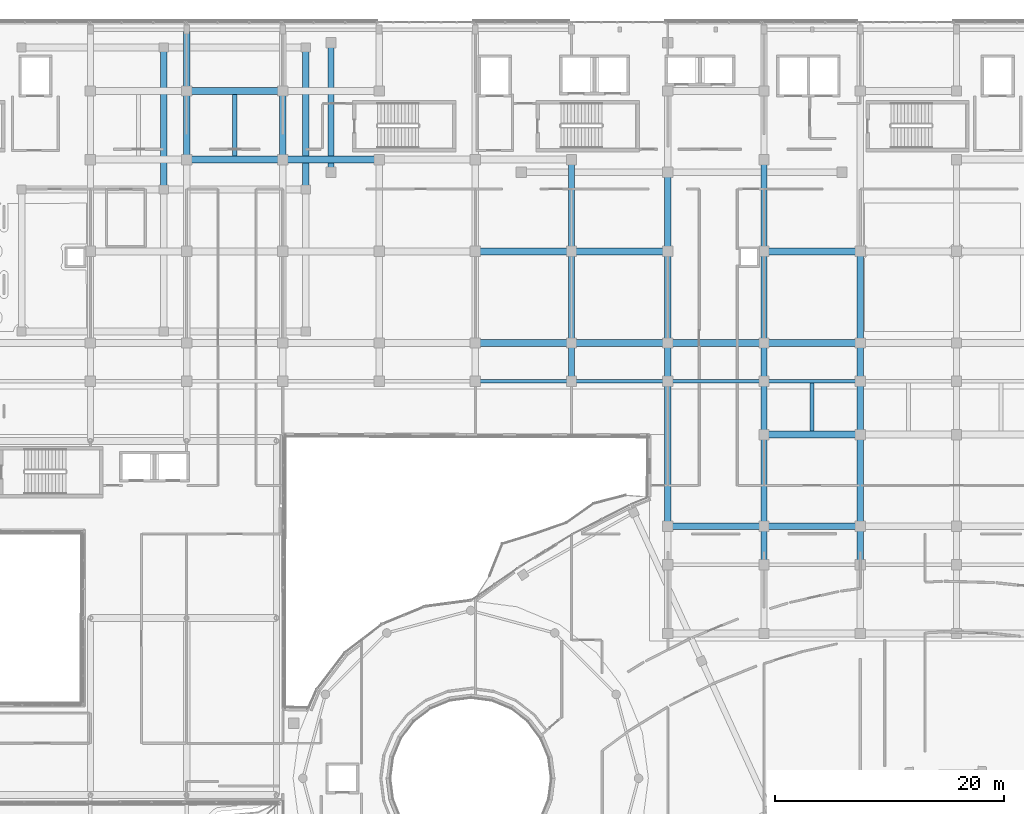
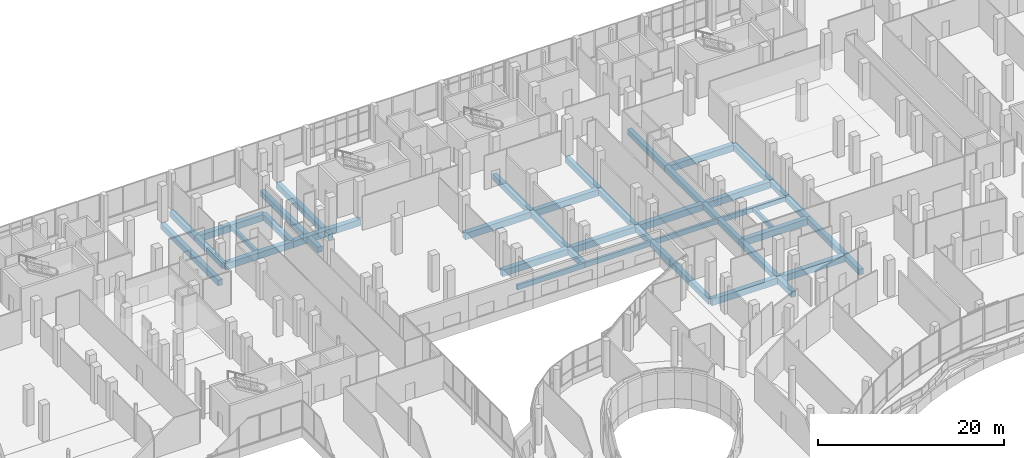
# One storey, part 91 of 168: 43 beams.
"""IFC4 building model written with IfcOpenShell, lengths in metres."""

from ifc_helpers import new_model, si_unit, direction, frame, origin, origin_2d, place, context, subcontext, project, spatial, rectangle, extrude, material, material_profile, profile_set, type_object, element, save


model = new_model("IFC4")

# Units and contexts
model_context = context("Model", 3, precision=1e-05, world=origin(), true_north=direction((0.0, 1.0)))
body_context = subcontext(model_context, "Body", "Model", "MODEL_VIEW")
ifc_project = project(units=[si_unit("LENGTHUNIT", "METRE"), si_unit("AREAUNIT", "SQUARE_METRE"), si_unit("VOLUMEUNIT", "CUBIC_METRE"), si_unit("PLANEANGLEUNIT", "RADIAN"), si_unit("MASSUNIT", "GRAM", prefix="KILO")], contexts=[model_context])

# Site, building, storey
site_placement = place(None, origin())
site = spatial("IfcSite", under=ifc_project, at=site_placement, CompositionType="ELEMENT")
building_placement = place(site_placement, origin())
building = spatial("IfcBuilding", under=site, at=building_placement, Name="Selatvlak General Hospital", CompositionType="ELEMENT")
storey_placement = place(building_placement, frame((0.0, 0.0, 5.39990234375)))
storey = spatial("IfcBuildingStorey", under=building, at=storey_placement, Name="L01", CompositionType="ELEMENT", Elevation=5.39990234375)

# Beams
ifc_material = material(Name="Concrete C40/50", Category="concrete")
ifc_material_profile_1 = material_profile(ifc_material, rectangle(XDim=0.60009765625, YDim=0.85009765625, at=origin_2d()), Name="RC-BM 600x850")
ifc_profile_set_1 = profile_set([ifc_material_profile_1], Name="Concrete C40/50")
beam_type_1 = type_object("IfcBeamType", Name="BM-G01", PredefinedType="BEAM", material=ifc_profile_set_1)
beam_1_placement = place(storey_placement, frame((115.199951171875, 76.0, -0.744873046875), z_axis=(1.0, 0.0, 0.0), x_axis=(0.0, 1.0, 0.0)))
element("IfcBeam", 1, at=beam_1_placement, inside=storey, type_object=beam_type_1, Name="Beam BMR-L01-0414", PredefinedType="BEAM", context=body_context, shape_type="SweptSolid", body=[
    extrude(rectangle(XDim=0.60009765625, YDim=0.85009765625, at=origin_2d()), origin(), (0.0, 0.0, 1.0), 8.400146484375),
])
for number, where, z_axis, x_axis, name in (
    (2, (123.60009765625, 76.0, -0.744873046875), (1.0, 0.0, 0.0), (0.0, 1.0, 0.0), "Beam BMR-L01-0415"),
    (3, (123.60009765625, 84.0, -0.744873046875), (1.0, 0.0, 0.0), (0.0, 1.0, 0.0), "Beam BMR-L01-0429"),
):
    element("IfcBeam", number, at=place(storey_placement, frame(where, z_axis=z_axis, x_axis=x_axis)), inside=storey, type_object=beam_type_1, Name=name, PredefinedType="BEAM", context=body_context, shape_type="SweptSolid", body=[
        extrude(rectangle(XDim=0.60009765625, YDim=0.85009765625, at=origin_2d()), origin(), (0.0, 0.0, 1.0), 8.39990234375),
    ])
beam_2_placement = place(storey_placement, frame((98.39990234375, 92.0, -0.744873046875), z_axis=(1.0, 0.0, 0.0), x_axis=(0.0, 1.0, 0.0)))
element("IfcBeam", 4, at=beam_2_placement, inside=storey, type_object=beam_type_1, Name="Beam BMR-L01-0461", PredefinedType="BEAM", context=body_context, shape_type="SweptSolid", body=[
    extrude(rectangle(XDim=0.60009765625, YDim=0.85009765625, at=origin_2d()), origin(), (0.0, 0.0, 1.0), 8.400146484375),
])
beam_3_placement = place(storey_placement, frame((106.800048828125, 92.0, -0.744873046875), z_axis=(1.0, 0.0, 0.0), x_axis=(0.0, 1.0, 0.0)))
element("IfcBeam", 5, at=beam_3_placement, inside=storey, type_object=beam_type_1, Name="Beam BMR-L01-0462", PredefinedType="BEAM", context=body_context, shape_type="SweptSolid", body=[
    extrude(rectangle(XDim=0.60009765625, YDim=0.85009765625, at=origin_2d()), origin(), (0.0, 0.0, 1.0), 8.39990234375),
])
beam_4_placement = place(storey_placement, frame((115.199951171875, 92.0, -0.744873046875), z_axis=(1.0, 0.0, 0.0), x_axis=(0.0, 1.0, 0.0)))
element("IfcBeam", 6, at=beam_4_placement, inside=storey, type_object=beam_type_1, Name="Beam BMR-L01-0463", PredefinedType="BEAM", context=body_context, shape_type="SweptSolid", body=[
    extrude(rectangle(XDim=0.60009765625, YDim=0.85009765625, at=origin_2d()), origin(), (0.0, 0.0, 1.0), 8.400146484375),
])
beam_5_placement = place(storey_placement, frame((123.60009765625, 92.0, -0.744873046875), z_axis=(1.0, 0.0, 0.0), x_axis=(0.0, 1.0, 0.0)))
element("IfcBeam", 7, at=beam_5_placement, inside=storey, type_object=beam_type_1, Name="Beam BMR-L01-0464", PredefinedType="BEAM", context=body_context, shape_type="SweptSolid", body=[
    extrude(rectangle(XDim=0.60009765625, YDim=0.85009765625, at=origin_2d()), origin(), (0.0, 0.0, 1.0), 8.39990234375),
])
beam_6_placement = place(storey_placement, frame((98.39990234375, 100.0, -0.744873046875), z_axis=(1.0, 0.0, 0.0), x_axis=(0.0, 1.0, 0.0)))
element("IfcBeam", 8, at=beam_6_placement, inside=storey, type_object=beam_type_1, Name="Beam BMR-L01-0483", PredefinedType="BEAM", context=body_context, shape_type="SweptSolid", body=[
    extrude(rectangle(XDim=0.60009765625, YDim=0.85009765625, at=origin_2d()), origin(), (0.0, 0.0, 1.0), 8.400146484375),
])
for number, where, z_axis, x_axis, name in (
    (9, (106.800048828125, 100.0, -0.744873046875), (1.0, 0.0, 0.0), (0.0, 1.0, 0.0), "Beam BMR-L01-0484"),
    (10, (123.60009765625, 100.0, -0.744873046875), (1.0, 0.0, 0.0), (0.0, 1.0, 0.0), "Beam BMR-L01-0485"),
):
    element("IfcBeam", number, at=place(storey_placement, frame(where, z_axis=z_axis, x_axis=x_axis)), inside=storey, type_object=beam_type_1, Name=name, PredefinedType="BEAM", context=body_context, shape_type="SweptSolid", body=[
        extrude(rectangle(XDim=0.60009765625, YDim=0.85009765625, at=origin_2d()), origin(), (0.0, 0.0, 1.0), 8.39990234375),
    ])
beam_7_placement = place(storey_placement, frame((73.199951171875, 108.0, -0.744873046875), z_axis=(1.0, 0.0, 0.0), x_axis=(0.0, 1.0, 0.0)))
element("IfcBeam", 11, at=beam_7_placement, inside=storey, type_object=beam_type_1, Name="Beam BMR-L01-0502", PredefinedType="BEAM", context=body_context, shape_type="SweptSolid", body=[
    extrude(rectangle(XDim=0.60009765625, YDim=0.85009765625, at=origin_2d()), origin(), (0.0, 0.0, 1.0), 8.400146484375),
])
beam_8_placement = place(storey_placement, frame((81.60009765625, 108.0, -0.744873046875), z_axis=(1.0, 0.0, 0.0), x_axis=(0.0, 1.0, 0.0)))
element("IfcBeam", 12, at=beam_8_placement, inside=storey, type_object=beam_type_1, Name="Beam BMR-L01-0503", PredefinedType="BEAM", context=body_context, shape_type="SweptSolid", body=[
    extrude(rectangle(XDim=0.60009765625, YDim=0.85009765625, at=origin_2d()), origin(), (0.0, 0.0, 1.0), 8.39990234375),
])
beam_9_placement = place(storey_placement, frame((73.199951171875, 114.0, -0.744873046875), z_axis=(1.0, 0.0, 0.0), x_axis=(0.0, 1.0, 0.0)))
element("IfcBeam", 13, at=beam_9_placement, inside=storey, type_object=beam_type_1, Name="Beam BMR-L01-0516", PredefinedType="BEAM", context=body_context, shape_type="SweptSolid", body=[
    extrude(rectangle(XDim=0.60009765625, YDim=0.85009765625, at=origin_2d()), origin(), (0.0, 0.0, 1.0), 8.400146484375),
])
ifc_material_profile_2 = material_profile(ifc_material, rectangle(XDim=0.550048828125, YDim=0.75, at=origin_2d()), Name="RC-BM 550x750")
ifc_profile_set_2 = profile_set([ifc_material_profile_2], Name="Concrete C40/50")
beam_type_2 = type_object("IfcBeamType", Name="BM-G02", PredefinedType="BEAM", material=ifc_profile_set_2)
beam_10_placement = place(storey_placement, frame((71.199951171875, 105.39990234375, -0.69482421875), z_axis=(0.0, 1.0, 0.0), x_axis=(-1.0, 0.0, 0.0)))
element("IfcBeam", 14, at=beam_10_placement, inside=storey, type_object=beam_type_2, Name="Beam BMR-L01-0587", PredefinedType="BEAM", context=body_context, shape_type="SweptSolid", body=[
    extrude(rectangle(XDim=0.550048828125, YDim=0.75, at=origin_2d()), origin(), (0.0, 0.0, 1.0), 12.400146484375),
])
beam_11_placement = place(storey_placement, frame((73.199951171875, 108.0, -0.69482421875), z_axis=(0.0, 1.0, 0.0), x_axis=(-1.0, 0.0, 0.0)))
element("IfcBeam", 15, at=beam_11_placement, inside=storey, type_object=beam_type_2, Name="Beam BMR-L01-0593", PredefinedType="BEAM", context=body_context, shape_type="SweptSolid", body=[
    extrude(rectangle(XDim=0.550048828125, YDim=0.75, at=origin_2d()), origin(), (0.0, 0.0, 1.0), 6.0),
])
beam_12_placement = place(storey_placement, frame((73.199951171875, 114.0, -0.69482421875), z_axis=(0.0, 1.0, 0.0), x_axis=(-1.0, 0.0, 0.0)))
element("IfcBeam", 16, at=beam_12_placement, inside=storey, type_object=beam_type_2, Name="Beam BMR-L01-0594", PredefinedType="BEAM", context=body_context, shape_type="SweptSolid", body=[
    extrude(rectangle(XDim=0.550048828125, YDim=0.75, at=origin_2d()), origin(), (0.0, 0.0, 1.0), 5.35009765625),
])
beam_13_placement = place(storey_placement, frame((81.60009765625, 108.0, -0.69482421875), z_axis=(0.0, 1.0, 0.0), x_axis=(-1.0, 0.0, 0.0)))
element("IfcBeam", 17, at=beam_13_placement, inside=storey, type_object=beam_type_2, Name="Beam BMR-L01-0600", PredefinedType="BEAM", context=body_context, shape_type="SweptSolid", body=[
    extrude(rectangle(XDim=0.550048828125, YDim=0.75, at=origin_2d()), origin(), (0.0, 0.0, 1.0), 6.0),
])
beam_14_placement = place(storey_placement, frame((83.60009765625, 105.39990234375, -0.69482421875), z_axis=(0.0, 1.0, 0.0), x_axis=(-1.0, 0.0, 0.0)))
element("IfcBeam", 18, at=beam_14_placement, inside=storey, type_object=beam_type_2, Name="Beam BMR-L01-0603", PredefinedType="BEAM", context=body_context, shape_type="SweptSolid", body=[
    extrude(rectangle(XDim=0.550048828125, YDim=0.75, at=origin_2d()), origin(), (0.0, 0.0, 1.0), 12.400146484375),
])
beam_15_placement = place(storey_placement, frame((85.800048828125, 106.89990234375, -0.69482421875), z_axis=(0.0, 1.0, 0.0), x_axis=(-1.0, 0.0, 0.0)))
element("IfcBeam", 19, at=beam_15_placement, inside=storey, type_object=beam_type_2, Name="Beam BMR-L01-0604", PredefinedType="BEAM", context=body_context, shape_type="SweptSolid", body=[
    extrude(rectangle(XDim=0.550048828125, YDim=0.75, at=origin_2d()), origin(), (0.0, 0.0, 1.0), 11.300048828125),
])
beam_16_placement = place(storey_placement, frame((106.800048828125, 88.64990234375, -0.69482421875), z_axis=(0.0, 1.0, 0.0), x_axis=(-1.0, 0.0, 0.0)))
element("IfcBeam", 20, at=beam_16_placement, inside=storey, type_object=beam_type_2, Name="Beam BMR-L01-0613", PredefinedType="BEAM", context=body_context, shape_type="SweptSolid", body=[
    extrude(rectangle(XDim=0.550048828125, YDim=0.75, at=origin_2d()), origin(), (0.0, 0.0, 1.0), 3.35009765625),
])
for number, where, z_axis, x_axis, name in (
    (21, (106.800048828125, 92.0, -0.69482421875), (0.0, 1.0, 0.0), (-1.0, 0.0, 0.0), "Beam BMR-L01-0614"),
    (22, (106.800048828125, 100.0, -0.69482421875), (0.0, 1.0, 0.0), (-1.0, 0.0, 0.0), "Beam BMR-L01-0615"),
):
    element("IfcBeam", number, at=place(storey_placement, frame(where, z_axis=z_axis, x_axis=x_axis)), inside=storey, type_object=beam_type_2, Name=name, PredefinedType="BEAM", context=body_context, shape_type="SweptSolid", body=[
        extrude(rectangle(XDim=0.550048828125, YDim=0.75, at=origin_2d()), origin(), (0.0, 0.0, 1.0), 8.0),
    ])
beam_17_placement = place(storey_placement, frame((115.199951171875, 76.0, -0.69482421875), z_axis=(0.0, 1.0, 0.0), x_axis=(-1.0, 0.0, 0.0)))
element("IfcBeam", 23, at=beam_17_placement, inside=storey, type_object=beam_type_2, Name="Beam BMR-L01-0618", PredefinedType="BEAM", context=body_context, shape_type="SweptSolid", body=[
    extrude(rectangle(XDim=0.550048828125, YDim=0.75, at=origin_2d()), origin(), (0.0, 0.0, 1.0), 12.64990234375),
])
beam_18_placement = place(storey_placement, frame((115.199951171875, 88.64990234375, -0.69482421875), z_axis=(0.0, 1.0, 0.0), x_axis=(-1.0, 0.0, 0.0)))
element("IfcBeam", 24, at=beam_18_placement, inside=storey, type_object=beam_type_2, Name="Beam BMR-L01-0619", PredefinedType="BEAM", context=body_context, shape_type="SweptSolid", body=[
    extrude(rectangle(XDim=0.550048828125, YDim=0.75, at=origin_2d()), origin(), (0.0, 0.0, 1.0), 3.35009765625),
])
beam_19_placement = place(storey_placement, frame((115.199951171875, 92.0, -0.69482421875), z_axis=(0.0, 1.0, 0.0), x_axis=(-1.0, 0.0, 0.0)))
element("IfcBeam", 25, at=beam_19_placement, inside=storey, type_object=beam_type_2, Name="Beam BMR-L01-0620", PredefinedType="BEAM", context=body_context, shape_type="SweptSolid", body=[
    extrude(rectangle(XDim=0.550048828125, YDim=0.75, at=origin_2d()), origin(), (0.0, 0.0, 1.0), 8.0),
])
beam_20_placement = place(storey_placement, frame((115.199951171875, 100.0, -0.69482421875), z_axis=(0.0, 1.0, 0.0), x_axis=(-1.0, 0.0, 0.0)))
element("IfcBeam", 26, at=beam_20_placement, inside=storey, type_object=beam_type_2, Name="Beam BMR-L01-0621", PredefinedType="BEAM", context=body_context, shape_type="SweptSolid", body=[
    extrude(rectangle(XDim=0.550048828125, YDim=0.75, at=origin_2d()), origin(), (0.0, 0.0, 1.0), 6.89990234375),
])
beam_21_placement = place(storey_placement, frame((123.60009765625, 72.64990234375, -0.69482421875), z_axis=(0.0, 1.0, 0.0), x_axis=(-1.0, 0.0, 0.0)))
element("IfcBeam", 27, at=beam_21_placement, inside=storey, type_object=beam_type_2, Name="Beam BMR-L01-0624", PredefinedType="BEAM", context=body_context, shape_type="SweptSolid", body=[
    extrude(rectangle(XDim=0.550048828125, YDim=0.75, at=origin_2d()), origin(), (0.0, 0.0, 1.0), 3.35009765625),
])
beam_22_placement = place(storey_placement, frame((123.60009765625, 76.0, -0.69482421875), z_axis=(0.0, 1.0, 0.0), x_axis=(-1.0, 0.0, 0.0)))
element("IfcBeam", 28, at=beam_22_placement, inside=storey, type_object=beam_type_2, Name="Beam BMR-L01-0625", PredefinedType="BEAM", context=body_context, shape_type="SweptSolid", body=[
    extrude(rectangle(XDim=0.550048828125, YDim=0.75, at=origin_2d()), origin(), (0.0, 0.0, 1.0), 8.0),
])
beam_23_placement = place(storey_placement, frame((123.60009765625, 84.0, -0.69482421875), z_axis=(0.0, 1.0, 0.0), x_axis=(-1.0, 0.0, 0.0)))
element("IfcBeam", 29, at=beam_23_placement, inside=storey, type_object=beam_type_2, Name="Beam BMR-L01-0626", PredefinedType="BEAM", context=body_context, shape_type="SweptSolid", body=[
    extrude(rectangle(XDim=0.550048828125, YDim=0.75, at=origin_2d()), origin(), (0.0, 0.0, 1.0), 4.64990234375),
])
beam_24_placement = place(storey_placement, frame((123.60009765625, 88.64990234375, -0.69482421875), z_axis=(0.0, 1.0, 0.0), x_axis=(-1.0, 0.0, 0.0)))
element("IfcBeam", 30, at=beam_24_placement, inside=storey, type_object=beam_type_2, Name="Beam BMR-L01-0627", PredefinedType="BEAM", context=body_context, shape_type="SweptSolid", body=[
    extrude(rectangle(XDim=0.550048828125, YDim=0.75, at=origin_2d()), origin(), (0.0, 0.0, 1.0), 3.35009765625),
])
for number, where, z_axis, x_axis, name in (
    (31, (123.60009765625, 92.0, -0.69482421875), (0.0, 1.0, 0.0), (-1.0, 0.0, 0.0), "Beam BMR-L01-0628"),
    (32, (123.60009765625, 100.0, -0.69482421875), (0.0, 1.0, 0.0), (-1.0, 0.0, 0.0), "Beam BMR-L01-0629"),
):
    element("IfcBeam", number, at=place(storey_placement, frame(where, z_axis=z_axis, x_axis=x_axis)), inside=storey, type_object=beam_type_2, Name=name, PredefinedType="BEAM", context=body_context, shape_type="SweptSolid", body=[
        extrude(rectangle(XDim=0.550048828125, YDim=0.75, at=origin_2d()), origin(), (0.0, 0.0, 1.0), 8.0),
    ])
beam_25_placement = place(storey_placement, frame((132.0, 72.64990234375, -0.69482421875), z_axis=(0.0, 1.0, 0.0), x_axis=(-1.0, 0.0, 0.0)))
element("IfcBeam", 33, at=beam_25_placement, inside=storey, type_object=beam_type_2, Name="Beam BMR-L01-0633", PredefinedType="BEAM", context=body_context, shape_type="SweptSolid", body=[
    extrude(rectangle(XDim=0.550048828125, YDim=0.75, at=origin_2d()), origin(), (0.0, 0.0, 1.0), 3.35009765625),
])
beam_26_placement = place(storey_placement, frame((132.0, 76.0, -0.69482421875), z_axis=(0.0, 1.0, 0.0), x_axis=(-1.0, 0.0, 0.0)))
element("IfcBeam", 34, at=beam_26_placement, inside=storey, type_object=beam_type_2, Name="Beam BMR-L01-0634", PredefinedType="BEAM", context=body_context, shape_type="SweptSolid", body=[
    extrude(rectangle(XDim=0.550048828125, YDim=0.75, at=origin_2d()), origin(), (0.0, 0.0, 1.0), 8.0),
])
beam_27_placement = place(storey_placement, frame((132.0, 84.0, -0.69482421875), z_axis=(0.0, 1.0, 0.0), x_axis=(-1.0, 0.0, 0.0)))
element("IfcBeam", 35, at=beam_27_placement, inside=storey, type_object=beam_type_2, Name="Beam BMR-L01-0635", PredefinedType="BEAM", context=body_context, shape_type="SweptSolid", body=[
    extrude(rectangle(XDim=0.550048828125, YDim=0.75, at=origin_2d()), origin(), (0.0, 0.0, 1.0), 4.64990234375),
])
beam_28_placement = place(storey_placement, frame((132.0, 88.64990234375, -0.69482421875), z_axis=(0.0, 1.0, 0.0), x_axis=(-1.0, 0.0, 0.0)))
element("IfcBeam", 36, at=beam_28_placement, inside=storey, type_object=beam_type_2, Name="Beam BMR-L01-0636", PredefinedType="BEAM", context=body_context, shape_type="SweptSolid", body=[
    extrude(rectangle(XDim=0.550048828125, YDim=0.75, at=origin_2d()), origin(), (0.0, 0.0, 1.0), 3.35009765625),
])
beam_29_placement = place(storey_placement, frame((132.0, 92.0, -0.69482421875), z_axis=(0.0, 1.0, 0.0), x_axis=(-1.0, 0.0, 0.0)))
element("IfcBeam", 37, at=beam_29_placement, inside=storey, type_object=beam_type_2, Name="Beam BMR-L01-0637", PredefinedType="BEAM", context=body_context, shape_type="SweptSolid", body=[
    extrude(rectangle(XDim=0.550048828125, YDim=0.75, at=origin_2d()), origin(), (0.0, 0.0, 1.0), 8.0),
])
ifc_material_profile_3 = material_profile(ifc_material, rectangle(XDim=0.35009765625, YDim=0.550048828125, at=origin_2d()), Name="RC-BM 350x550")
ifc_profile_set_3 = profile_set([ifc_material_profile_3], Name="Concrete C40/50")
beam_type_3 = type_object("IfcBeamType", Name="BM-J01", PredefinedType="JOIST", material=ifc_profile_set_3)
beam_30_placement = place(storey_placement, frame((127.800048828125, 84.300048828125, -0.594970703125), z_axis=(0.0, 1.0, 0.0), x_axis=(-1.0, 0.0, 0.0)))
element("IfcBeam", 38, at=beam_30_placement, inside=storey, type_object=beam_type_3, Name="Beam BMR-L01-0696", PredefinedType="JOIST", context=body_context, shape_type="SweptSolid", body=[
    extrude(rectangle(XDim=0.35009765625, YDim=0.550048828125, at=origin_2d()), origin(), (0.0, 0.0, 1.0), 4.199951171875),
])
beam_31_placement = place(storey_placement, frame((77.39990234375, 108.300048828125, -0.594970703125), z_axis=(0.0, 1.0, 0.0), x_axis=(-1.0, 0.0, 0.0)))
element("IfcBeam", 39, at=beam_31_placement, inside=storey, type_object=beam_type_3, Name="Beam BMR-L01-0703", PredefinedType="JOIST", context=body_context, shape_type="SweptSolid", body=[
    extrude(rectangle(XDim=0.35009765625, YDim=0.550048828125, at=origin_2d()), origin(), (0.0, 0.0, 1.0), 5.39990234375),
])
ifc_material_profile_4 = material_profile(ifc_material, rectangle(XDim=0.300048828125, YDim=0.64990234375, at=origin_2d()), Name="RC-SP 300x650")
ifc_profile_set_4 = profile_set([ifc_material_profile_4], Name="Concrete C40/50")
beam_type_4 = type_object("IfcBeamType", Name="BM-SP1", PredefinedType="SPANDREL", material=ifc_profile_set_4)
beam_32_placement = place(storey_placement, frame((98.39990234375, 88.64990234375, -0.64501953125), z_axis=(1.0, 0.0, 0.0), x_axis=(0.0, 1.0, 0.0)))
element("IfcBeam", 40, at=beam_32_placement, inside=storey, type_object=beam_type_4, Name="Beam BMR-L01-0441", PredefinedType="SPANDREL", context=body_context, shape_type="SweptSolid", body=[
    extrude(rectangle(XDim=0.300048828125, YDim=0.64990234375, at=origin_2d()), origin(), (0.0, 0.0, 1.0), 8.400146484375),
])
beam_33_placement = place(storey_placement, frame((106.800048828125, 88.64990234375, -0.64501953125), z_axis=(1.0, 0.0, 0.0), x_axis=(0.0, 1.0, 0.0)))
element("IfcBeam", 41, at=beam_33_placement, inside=storey, type_object=beam_type_4, Name="Beam BMR-L01-0442", PredefinedType="SPANDREL", context=body_context, shape_type="SweptSolid", body=[
    extrude(rectangle(XDim=0.300048828125, YDim=0.64990234375, at=origin_2d()), origin(), (0.0, 0.0, 1.0), 8.39990234375),
])
beam_34_placement = place(storey_placement, frame((115.199951171875, 88.64990234375, -0.64501953125), z_axis=(1.0, 0.0, 0.0), x_axis=(0.0, 1.0, 0.0)))
element("IfcBeam", 42, at=beam_34_placement, inside=storey, type_object=beam_type_4, Name="Beam BMR-L01-0443", PredefinedType="SPANDREL", context=body_context, shape_type="SweptSolid", body=[
    extrude(rectangle(XDim=0.300048828125, YDim=0.64990234375, at=origin_2d()), origin(), (0.0, 0.0, 1.0), 8.400146484375),
])
beam_35_placement = place(storey_placement, frame((123.60009765625, 88.64990234375, -0.64501953125), z_axis=(1.0, 0.0, 0.0), x_axis=(0.0, 1.0, 0.0)))
element("IfcBeam", 43, at=beam_35_placement, inside=storey, type_object=beam_type_4, Name="Beam BMR-L01-0444", PredefinedType="SPANDREL", context=body_context, shape_type="SweptSolid", body=[
    extrude(rectangle(XDim=0.300048828125, YDim=0.64990234375, at=origin_2d()), origin(), (0.0, 0.0, 1.0), 8.39990234375),
])

save(model, "model.ifc")
